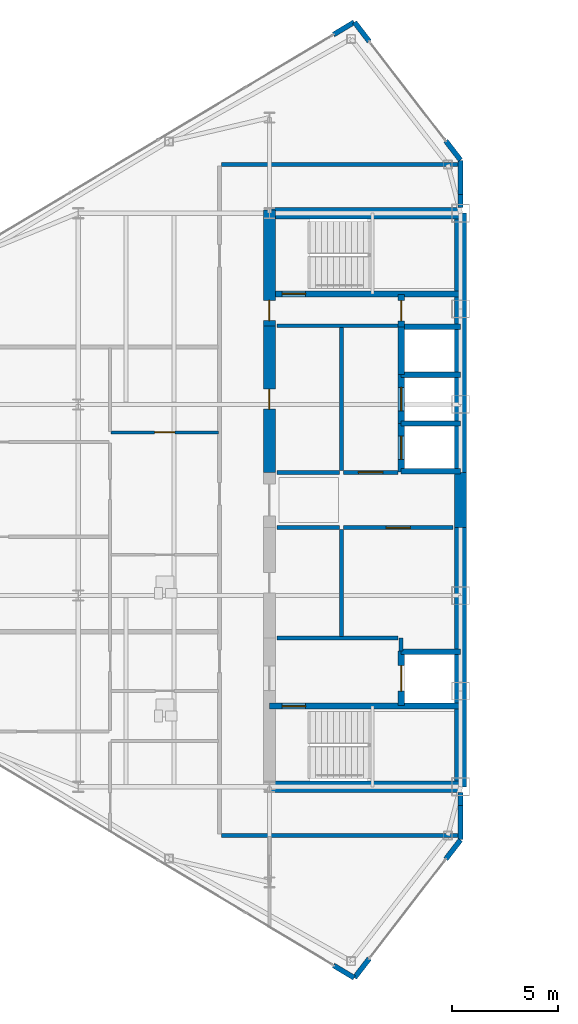
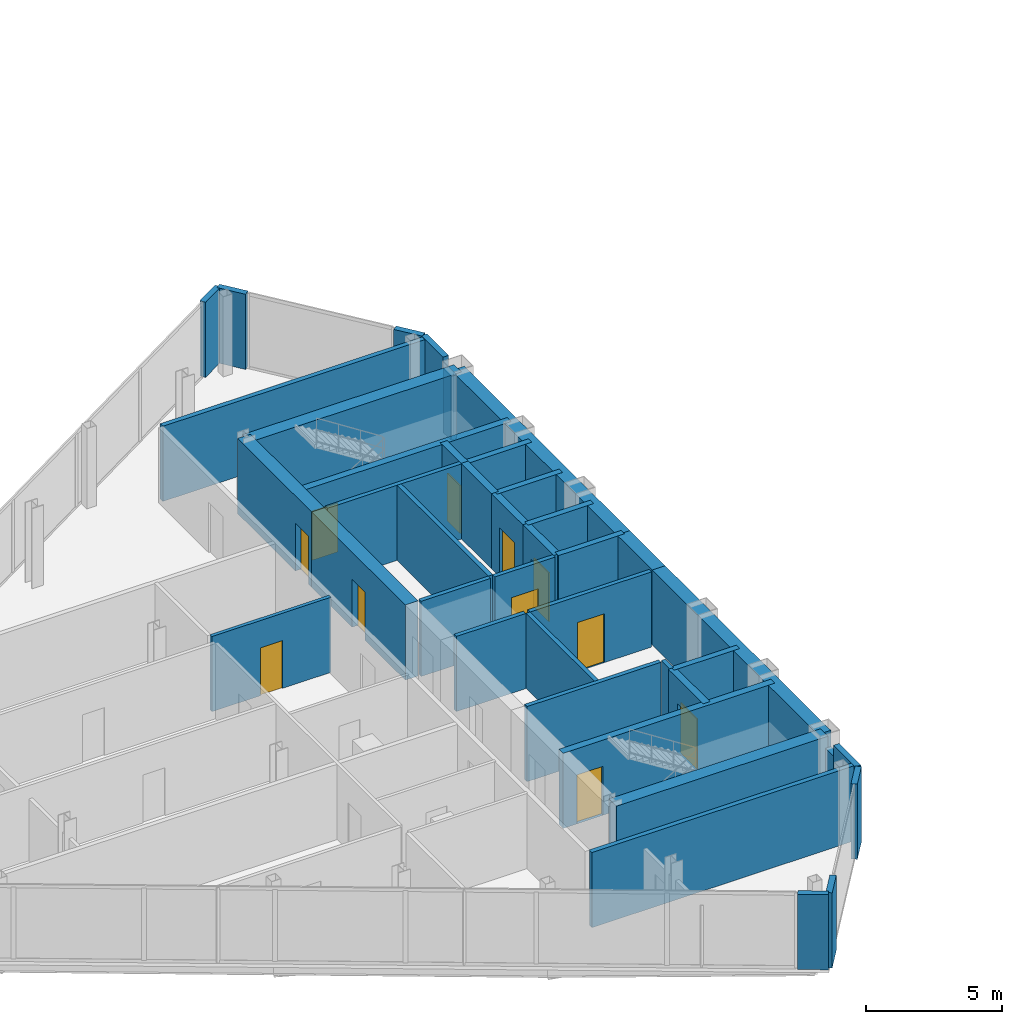
# One storey, part 20 of 26: 41 walls, 11 doors, 11 openings.
"""IFC4 building model written with IfcOpenShell, lengths in metres."""

from ifc_helpers import new_model, si_unit, direction, frame, frame_2d, origin, place, context, subcontext, project, spatial, rectangle, extrude, source, transform, mapped, material, layer, layer_set, type_object, type_shapes, element, fill, save


model = new_model("IFC4")

# Units and contexts
model_context = context("Model", 3, precision=1e-05, world=origin(), true_north=direction((0.0, 1.0)))
body_context = subcontext(model_context, "Body", "Model", "MODEL_VIEW")
ifc_project = project(units=[si_unit("LENGTHUNIT", "METRE"), si_unit("AREAUNIT", "SQUARE_METRE"), si_unit("VOLUMEUNIT", "CUBIC_METRE"), si_unit("PLANEANGLEUNIT", "RADIAN"), si_unit("MASSUNIT", "GRAM", prefix="KILO")], contexts=[model_context])

# Site, building, storey
site_placement = place(None, origin())
site = spatial("IfcSite", under=ifc_project, at=site_placement, CompositionType="ELEMENT")
building_placement = place(site_placement, origin())
building = spatial("IfcBuilding", under=site, at=building_placement, Name="Seokmaru Belvedere", CompositionType="ELEMENT")
storey_placement = place(building_placement, frame((0.0, 0.0, 199.5)))
storey = spatial("IfcBuildingStorey", under=building, at=storey_placement, Name="L53", CompositionType="ELEMENT", Elevation=199.5)

# Wall, opening, door
ifc_material_1 = material(Name="Fire-Rated Gypsum Shaftwall")
ifc_layer_1 = layer(ifc_material_1, 0.14990234375)
ifc_layer_set_1 = layer_set([ifc_layer_1], Name="Fire-Rated Gypsum Shaftwall")
wall_type_1 = type_object("IfcWallType", Name="Apartment Fire-Acoustic Room Partition 150", PredefinedType="PARTITIONING", material=ifc_layer_set_1)
wall_1_placement = place(storey_placement, frame((-43.949951171875, 3.179931640625, 0.0), z_axis=(0.0, 0.0, 1.0), x_axis=(1.0, 0.0, 0.0)))
wall_1 = element("IfcWall", 1, at=wall_1_placement, inside=storey, type_object=wall_type_1, Name="L53 Interior Partition 015", PredefinedType="PARTITIONING", context=body_context, shape_type="SweptSolid", body=[
    extrude(rectangle(XDim=5.050048828125, YDim=0.14990234375, at=frame_2d((2.52490234375, 0.0))), origin(), (0.0, 0.0, 1.0), 3.3798828125),
])
opening_1_placement = place(wall_1_placement, frame((2.050048828125, 0.0, 0.0)))
opening_1 = element("IfcOpeningElement", 2, at=opening_1_placement, cuts=wall_1, Name="Opening D05", PredefinedType="OPENING", context=body_context, shape_type="SweptSolid", body=[
    extrude(rectangle(XDim=0.949951171875, YDim=2.14990234375, at=frame_2d((0.47509765625, 1.074951171875))), frame((0.0, 0.0849609375, 0.0), z_axis=(0.0, -1.0, 0.0), x_axis=(1.0, 0.0, 0.0)), (0.0, 0.0, 1.0), 0.169921875),
])
ifc_material_2 = material(Name="Engineered White Oak Timber", Category="wood")
door_type_1 = type_object("IfcDoorType", Name="Apartment Interior Fire-Rated Oak Door 950x2150", OperationType="NOTDEFINED", PredefinedType="DOOR", material=ifc_material_2)
shared_shape_1 = source(origin(), body_context, "Body", "SweptSolid", [
    extrude(rectangle(XDim=0.949951171875, YDim=2.14990234375, at=frame_2d((0.47509765625, 1.074951171875))), frame((0.0, 0.02490234375, 0.0), z_axis=(0.0, -1.0, 0.0), x_axis=(1.0, 0.0, 0.0)), (0.0, 0.0, 1.0), 0.050048828125),
])
type_shapes(door_type_1, [shared_shape_1])
door_1_placement = place(opening_1_placement, origin())
door_1 = element("IfcDoor", 3, at=door_1_placement, inside=storey, type_object=door_type_1, Name="L53 Interior Door 009", OperationType="SINGLE_SWING_LEFT", OverallHeight=2.14990234375, OverallWidth=0.949951171875, PredefinedType="DOOR", context=body_context, shape_type="MappedRepresentation", body=[
    mapped(shared_shape_1, transform((0.0, 0.0, 0.0), scale=1.0)),
])
fill(opening_1, door_1)

# Walls
ifc_layer_2 = layer(ifc_material_1, 0.179931640625)
ifc_layer_set_2 = layer_set([ifc_layer_2], Name="Fire-Rated Gypsum Shaftwall")
wall_type_2 = type_object("IfcWallType", Name="Core Service Fire Partition 180", PredefinedType="PARTITIONING", material=ifc_layer_set_2)
wall_2_placement = place(storey_placement, frame((-36.14990234375, -6.5, 0.0), z_axis=(0.0, 0.0, 1.0), x_axis=(1.0, 0.0, 0.0)))
element("IfcWall", 4, at=wall_2_placement, inside=storey, type_object=wall_type_2, Name="L53 West Firefighting Lobby Partition", PredefinedType="PARTITIONING", context=body_context, shape_type="SweptSolid", body=[
    extrude(rectangle(XDim=5.699951171875, YDim=0.179931640625, at=frame_2d((2.85009765625, 0.0))), origin(), (0.0, 0.0, 1.0), 3.3798828125),
])
wall_3_placement = place(storey_placement, frame((-30.300048828125, -7.1201171875, 0.0), z_axis=(0.0, 0.0, 1.0), x_axis=(0.0, 1.0, 0.0)))
element("IfcWall", 5, at=wall_3_placement, inside=storey, type_object=wall_type_2, Name="L53 West Firefighting Lobby East Closure Wall", PredefinedType="PARTITIONING", context=body_context, shape_type="SweptSolid", body=[
    extrude(rectangle(XDim=0.6201171875, YDim=0.179931640625, at=frame_2d((0.31005859375, 0.0))), origin(), (0.0, 0.0, 1.0), 3.3798828125),
])
wall_4_placement = place(storey_placement, frame((-36.14990234375, 8.199951171875, 0.0), z_axis=(0.0, 0.0, 1.0), x_axis=(1.0, 0.0, 0.0)))
element("IfcWall", 6, at=wall_4_placement, inside=storey, type_object=wall_type_2, Name="L53 West Smokeproof Vestibule Partition", PredefinedType="PARTITIONING", context=body_context, shape_type="SweptSolid", body=[
    extrude(rectangle(XDim=5.699951171875, YDim=0.179931640625, at=frame_2d((2.85009765625, 0.0))), origin(), (0.0, 0.0, 1.0), 3.3798828125),
])
wall_5_placement = place(storey_placement, frame((-33.10009765625, -6.419921875, 0.0), z_axis=(0.0, 0.0, 1.0), x_axis=(0.0, 1.0, 0.0)))
element("IfcWall", 7, at=wall_5_placement, inside=storey, type_object=wall_type_2, Name="L53 West South Core Service Back Wall", PredefinedType="PARTITIONING", context=body_context, shape_type="SweptSolid", body=[
    extrude(rectangle(XDim=5.0400390625, YDim=0.179931640625, at=frame_2d((2.52001953125, 0.0))), origin(), (0.0, 0.0, 1.0), 3.3798828125),
])
wall_6_placement = place(storey_placement, frame((-33.10009765625, 1.3798828125, 0.0), z_axis=(0.0, 0.0, 1.0), x_axis=(0.0, 1.0, 0.0)))
element("IfcWall", 8, at=wall_6_placement, inside=storey, type_object=wall_type_2, Name="L53 West North Core Service Back Wall", PredefinedType="PARTITIONING", context=body_context, shape_type="SweptSolid", body=[
    extrude(rectangle(XDim=6.740234375, YDim=0.179931640625, at=frame_2d((3.3701171875, 0.0))), origin(), (0.0, 0.0, 1.0), 3.3798828125),
])

# Wall, opening, door
wall_7_placement = place(storey_placement, frame((-33.02001953125, -1.300048828125, 0.0), z_axis=(0.0, 0.0, 1.0), x_axis=(1.0, 0.0, 0.0)))
wall_7 = element("IfcWall", 9, at=wall_7_placement, inside=storey, type_object=wall_type_2, Name="L53 West South Lift Lobby Foyer Wall", PredefinedType="PARTITIONING", context=body_context, shape_type="SweptSolid", body=[
    extrude(rectangle(XDim=5.169921875, YDim=0.179931640625, at=frame_2d((2.5849609375, 0.0))), origin(), (0.0, 0.0, 1.0), 3.3798828125),
])
opening_2_placement = place(wall_7_placement, frame((2.010009765625, 0.0, 0.0)))
opening_2 = element("IfcOpeningElement", 10, at=opening_2_placement, cuts=wall_7, Name="Opening D02", PredefinedType="OPENING", context=body_context, shape_type="SweptSolid", body=[
    extrude(rectangle(XDim=1.14990234375, YDim=2.199951171875, at=frame_2d((0.574951171875, 1.10009765625))), frame((0.0, 0.10009765625, 0.0), z_axis=(0.0, -1.0, 0.0), x_axis=(1.0, 0.0, 0.0)), (0.0, 0.0, 1.0), 0.199951171875),
])
ifc_material_3 = material(Name="Fire-Rated Steel Leaf", Category="steel")
door_type_2 = type_object("IfcDoorType", Name="Lobby and Vestibule Fire Door 1150x2200", OperationType="NOTDEFINED", PredefinedType="DOOR", material=ifc_material_3)
shared_shape_2 = source(origin(), body_context, "Body", "SweptSolid", [
    extrude(rectangle(XDim=1.14990234375, YDim=2.199951171875, at=frame_2d((0.574951171875, 1.10009765625))), frame((0.0, 0.02490234375, 0.0), z_axis=(0.0, -1.0, 0.0), x_axis=(1.0, 0.0, 0.0)), (0.0, 0.0, 1.0), 0.050048828125),
])
type_shapes(door_type_2, [shared_shape_2])
door_2_placement = place(opening_2_placement, origin())
door_2 = element("IfcDoor", 11, at=door_2_placement, inside=storey, type_object=door_type_2, Name="L53 West South Core Foyer Door", OperationType="SINGLE_SWING_LEFT", OverallHeight=2.199951171875, OverallWidth=1.14990234375, PredefinedType="DOOR", context=body_context, shape_type="MappedRepresentation", body=[
    mapped(shared_shape_2, transform((0.0, 0.0, 0.0), scale=1.0)),
])
fill(opening_2, door_2)

wall_8_placement = place(storey_placement, frame((-33.02001953125, 1.300048828125, 0.0), z_axis=(0.0, 0.0, 1.0), x_axis=(1.0, 0.0, 0.0)))
wall_8 = element("IfcWall", 12, at=wall_8_placement, inside=storey, type_object=wall_type_2, Name="L53 West North Lift Lobby Foyer Wall", PredefinedType="PARTITIONING", context=body_context, shape_type="SweptSolid", body=[
    extrude(rectangle(XDim=2.570068359375, YDim=0.179931640625, at=frame_2d((1.28515625, 0.0))), origin(), (0.0, 0.0, 1.0), 3.3798828125),
])
opening_3_placement = place(wall_8_placement, frame((0.7099609375, 0.0, 0.0)))
opening_3 = element("IfcOpeningElement", 13, at=opening_3_placement, cuts=wall_8, Name="Opening D02", PredefinedType="OPENING", context=body_context, shape_type="SweptSolid", body=[
    extrude(rectangle(XDim=1.14990234375, YDim=2.199951171875, at=frame_2d((0.574951171875, 1.10009765625))), frame((0.0, 0.10009765625, 0.0), z_axis=(0.0, -1.0, 0.0), x_axis=(1.0, 0.0, 0.0)), (0.0, 0.0, 1.0), 0.199951171875),
])
door_3_placement = place(opening_3_placement, origin())
door_3 = element("IfcDoor", 14, at=door_3_placement, inside=storey, type_object=door_type_2, Name="L53 West North Lift Lobby Door", OperationType="SINGLE_SWING_RIGHT", OverallHeight=2.199951171875, OverallWidth=1.14990234375, PredefinedType="DOOR", context=body_context, shape_type="MappedRepresentation", body=[
    mapped(shared_shape_2, transform((0.0, 0.0, 0.0), scale=1.0)),
])
fill(opening_3, door_3)

# Walls
for number, where, z_axis, x_axis, name in (
    (15, (-36.14990234375, -1.300048828125, 0.0), (0.0, 0.0, 1.0), (1.0, 0.0, 0.0), "L53 West Foyer Side Wall S"),
    (16, (-36.14990234375, 1.300048828125, 0.0), (0.0, 0.0, 1.0), (1.0, 0.0, 0.0), "L53 West Foyer Side Wall N"),
):
    element("IfcWall", number, at=place(storey_placement, frame(where, z_axis=z_axis, x_axis=x_axis)), inside=storey, type_object=wall_type_2, Name=name, PredefinedType="PARTITIONING", context=body_context, shape_type="SweptSolid", body=[
        extrude(rectangle(XDim=2.949951171875, YDim=0.179931640625, at=frame_2d((1.47509765625, 0.0))), origin(), (0.0, 0.0, 1.0), 3.3798828125),
    ])
ifc_material_4 = material(Name="Concrete C50 (50 MPa)", Category="concrete")
ifc_layer_3 = layer(ifc_material_4, 0.25)
ifc_layer_set_3 = layer_set([ifc_layer_3], Name="Concrete C50 (50 MPa)")
wall_type_3 = type_object("IfcWallType", Name="Hoistway Transverse Concrete Divider Wall 250", PredefinedType="SHEAR", material=ifc_layer_set_3)
for number, where, z_axis, x_axis, name in (
    (17, (-30.300048828125, -7.14990234375, 0.0), (0.0, 0.0, 1.0), (1.0, 0.0, 0.0), "L53 West Hoistway Divider Core Wall 1"),
    (18, (-30.300048828125, 1.35009765625, 0.0), (0.0, 0.0, 1.0), (1.0, 0.0, 0.0), "L53 West Hoistway Divider Core Wall 2"),
    (19, (-30.300048828125, 3.60009765625, 0.0), (0.0, 0.0, 1.0), (1.0, 0.0, 0.0), "L53 West Hoistway Divider Core Wall 3"),
    (20, (-30.300048828125, 5.89990234375, 0.0), (0.0, 0.0, 1.0), (1.0, 0.0, 0.0), "L53 West Hoistway Divider Core Wall 4"),
    (21, (-30.300048828125, 8.14990234375, 0.0), (0.0, 0.0, 1.0), (1.0, 0.0, 0.0), "L53 West Hoistway Divider Core Wall 5"),
):
    element("IfcWall", number, at=place(storey_placement, frame(where, z_axis=z_axis, x_axis=x_axis)), inside=storey, type_object=wall_type_3, Name=name, PredefinedType="SHEAR", context=body_context, shape_type="SweptSolid", body=[
        extrude(rectangle(XDim=2.800048828125, YDim=0.25, at=frame_2d((1.39990234375, 0.0))), origin(), (0.0, 0.0, 1.0), 3.3798828125),
    ])
ifc_layer_4 = layer(ifc_material_1, 0.199951171875)
ifc_layer_set_4 = layer_set([ifc_layer_4], Name="Fire-Rated Gypsum Shaftwall")
wall_type_4 = type_object("IfcWallType", Name="Inter-Tenancy Fire Compartment Partition 200", PredefinedType="PARTITIONING", material=ifc_layer_set_4)
for number, where, z_axis, x_axis, name in (
    (22, (-38.764892578125, -15.800048828125, 0.0), (0.0, 0.0, 1.0), (1.0, 0.0, 0.0), "L53 Interior Partition 001"),
    (23, (-38.764892578125, 15.800048828125, 0.0), (0.0, 0.0, 1.0), (1.0, 0.0, 0.0), "L53 Interior Partition 022"),
):
    element("IfcWall", number, at=place(storey_placement, frame(where, z_axis=z_axis, x_axis=x_axis)), inside=storey, type_object=wall_type_4, Name=name, PredefinedType="PARTITIONING", context=body_context, shape_type="SweptSolid", body=[
        extrude(rectangle(XDim=11.139892578125, YDim=0.199951171875, at=frame_2d((5.56982421875, 0.0))), origin(), (0.0, 0.0, 1.0), 3.3798828125),
    ])

# Wall, opening, door
ifc_layer_5 = layer(ifc_material_4, 0.300048828125)
ifc_layer_set_5 = layer_set([ifc_layer_5], Name="Concrete C50 (50 MPa)")
wall_type_5 = type_object("IfcWallType", Name="Internal Core Stair and Hoistway Wall 300", PredefinedType="SHEAR", material=ifc_layer_set_5)
wall_9_placement = place(storey_placement, frame((-36.5, -9.699951171875, 0.0), z_axis=(0.0, 0.0, 1.0), x_axis=(1.0, 0.0, 0.0)))
wall_9 = element("IfcWall", 24, at=wall_9_placement, inside=storey, type_object=wall_type_5, Name="L53 West Stair ST-1 Enclosure Wall", PredefinedType="SHEAR", context=body_context, shape_type="SweptSolid", body=[
    extrude(rectangle(XDim=9.0, YDim=0.300048828125, at=frame_2d((4.5, 0.0))), origin(), (0.0, 0.0, 1.0), 3.3798828125),
])
opening_4_placement = place(wall_9_placement, frame((0.60009765625, 0.0, 0.0)))
opening_4 = element("IfcOpeningElement", 25, at=opening_4_placement, cuts=wall_9, Name="Opening D01", PredefinedType="OPENING", context=body_context, shape_type="SweptSolid", body=[
    extrude(rectangle(XDim=1.10009765625, YDim=2.199951171875, at=frame_2d((0.550048828125, 1.10009765625))), frame((0.0, 0.16015625, 0.0), z_axis=(0.0, -1.0, 0.0), x_axis=(1.0, 0.0, 0.0)), (0.0, 0.0, 1.0), 0.320068359375),
])
door_type_3 = type_object("IfcDoorType", Name="Special Escape Stair Smokeproof Fire Door 1100x2200", OperationType="NOTDEFINED", PredefinedType="DOOR", material=ifc_material_3)
shared_shape_3 = source(origin(), body_context, "Body", "SweptSolid", [
    extrude(rectangle(XDim=1.10009765625, YDim=2.199951171875, at=frame_2d((0.550048828125, 1.10009765625))), frame((0.0, 0.02490234375, 0.0), z_axis=(0.0, -1.0, 0.0), x_axis=(1.0, 0.0, 0.0)), (0.0, 0.0, 1.0), 0.050048828125),
])
type_shapes(door_type_3, [shared_shape_3])
door_4_placement = place(opening_4_placement, frame((1.10009765625, 0.0, 0.0), z_axis=(0.0, 0.0, 1.0), x_axis=(-1.0, 0.0, 0.0)))
door_4 = element("IfcDoor", 26, at=door_4_placement, inside=storey, type_object=door_type_3, Name="L53 West Special Escape Stair ST-1 Door", OperationType="SINGLE_SWING_LEFT", OverallHeight=2.199951171875, OverallWidth=1.10009765625, PredefinedType="DOOR", context=body_context, shape_type="MappedRepresentation", body=[
    mapped(shared_shape_3, transform((0.0, 0.0, 0.0), scale=1.0)),
])
fill(opening_4, door_4)

wall_10_placement = place(storey_placement, frame((-36.5, 9.699951171875, 0.0), z_axis=(0.0, 0.0, 1.0), x_axis=(1.0, 0.0, 0.0)))
wall_10 = element("IfcWall", 27, at=wall_10_placement, inside=storey, type_object=wall_type_5, Name="L53 West Stair ST-2 Enclosure Wall", PredefinedType="SHEAR", context=body_context, shape_type="SweptSolid", body=[
    extrude(rectangle(XDim=9.0, YDim=0.300048828125, at=frame_2d((4.5, 0.0))), origin(), (0.0, 0.0, 1.0), 3.3798828125),
])
opening_5_placement = place(wall_10_placement, frame((0.60009765625, 0.0, 0.0)))
opening_5 = element("IfcOpeningElement", 28, at=opening_5_placement, cuts=wall_10, Name="Opening D01", PredefinedType="OPENING", context=body_context, shape_type="SweptSolid", body=[
    extrude(rectangle(XDim=1.10009765625, YDim=2.199951171875, at=frame_2d((0.550048828125, 1.10009765625))), frame((0.0, 0.16015625, 0.0), z_axis=(0.0, -1.0, 0.0), x_axis=(1.0, 0.0, 0.0)), (0.0, 0.0, 1.0), 0.320068359375),
])
door_5_placement = place(opening_5_placement, origin())
door_5 = element("IfcDoor", 29, at=door_5_placement, inside=storey, type_object=door_type_3, Name="L53 West Special Escape Stair ST-2 Door", OperationType="SINGLE_SWING_RIGHT", OverallHeight=2.199951171875, OverallWidth=1.10009765625, PredefinedType="DOOR", context=body_context, shape_type="MappedRepresentation", body=[
    mapped(shared_shape_3, transform((0.0, 0.0, 0.0), scale=1.0)),
])
fill(opening_5, door_5)

wall_11_placement = place(storey_placement, frame((-30.300048828125, -9.679931640625, 0.0), z_axis=(0.0, 0.0, 1.0), x_axis=(0.0, 1.0, 0.0)))
wall_11 = element("IfcWall", 30, at=wall_11_placement, inside=storey, type_object=wall_type_5, Name="L53 West Firefighting Lift Shaft Front Wall", PredefinedType="SHEAR", context=body_context, shape_type="SweptSolid", body=[
    extrude(rectangle(XDim=2.559814453125, YDim=0.300048828125, at=frame_2d((1.27978515625, 0.0))), origin(), (0.0, 0.0, 1.0), 3.3798828125),
])
opening_6_placement = place(wall_11_placement, frame((0.679931640625, 0.0, 0.0)))
opening_6 = element("IfcOpeningElement", 31, at=opening_6_placement, cuts=wall_11, Name="Opening LD2", PredefinedType="OPENING", context=body_context, shape_type="SweptSolid", body=[
    extrude(rectangle(XDim=1.199951171875, YDim=2.25, at=frame_2d((0.60009765625, 1.125))), frame((0.0, 0.16015625, 0.0), z_axis=(0.0, -1.0, 0.0), x_axis=(1.0, 0.0, 0.0)), (0.0, 0.0, 1.0), 0.320068359375),
])
ifc_material_5 = material(Name="Stainless Steel 316", Category="steel")
door_type_4 = type_object("IfcDoorType", Name="Firefighting Lift Sliding Landing Door 1200x2250", OperationType="DOUBLE_DOOR_SLIDING", PredefinedType="DOOR", material=ifc_material_5)
shared_shape_4 = source(origin(), body_context, "Body", "SweptSolid", [
    extrude(rectangle(XDim=1.199951171875, YDim=2.25, at=frame_2d((0.60009765625, 1.125))), frame((0.0, 0.02490234375, 0.0), z_axis=(0.0, -1.0, 0.0), x_axis=(1.0, 0.0, 0.0)), (0.0, 0.0, 1.0), 0.050048828125),
])
type_shapes(door_type_4, [shared_shape_4])
door_6_placement = place(opening_6_placement, origin())
door_6 = element("IfcDoor", 32, at=door_6_placement, inside=storey, type_object=door_type_4, Name="L53 West Firefighting Lift Landing Door", OperationType="DOUBLE_DOOR_SLIDING", OverallHeight=2.25, OverallWidth=1.199951171875, PredefinedType="DOOR", context=body_context, shape_type="MappedRepresentation", body=[
    mapped(shared_shape_4, transform((0.0, 0.0, 0.0), scale=1.0)),
])
fill(opening_6, door_6)

wall_12_placement = place(storey_placement, frame((-30.300048828125, 1.320068359375, 0.0), z_axis=(0.0, 0.0, 1.0), x_axis=(0.0, 1.0, 0.0)))
wall_12 = element("IfcWall", 33, at=wall_12_placement, inside=storey, type_object=wall_type_5, Name="L53 West North Hoistway Wall PH1", PredefinedType="SHEAR", context=body_context, shape_type="SweptSolid", body=[
    extrude(rectangle(XDim=2.280029296875, YDim=0.300048828125, at=frame_2d((1.14013671875, 0.0))), origin(), (0.0, 0.0, 1.0), 3.3798828125),
])
opening_7_placement = place(wall_12_placement, frame((0.590087890625, 0.0, 0.0)))
opening_7 = element("IfcOpeningElement", 34, at=opening_7_placement, cuts=wall_12, Name="Opening LD1", PredefinedType="OPENING", context=body_context, shape_type="SweptSolid", body=[
    extrude(rectangle(XDim=1.10009765625, YDim=2.199951171875, at=frame_2d((0.550048828125, 1.10009765625))), frame((0.0, 0.16015625, 0.0), z_axis=(0.0, -1.0, 0.0), x_axis=(1.0, 0.0, 0.0)), (0.0, 0.0, 1.0), 0.320068359375),
])
door_type_5 = type_object("IfcDoorType", Name="Passenger Lift Sliding Landing Door 1100x2200", OperationType="DOUBLE_DOOR_SLIDING", PredefinedType="DOOR", material=ifc_material_5)
shared_shape_5 = source(origin(), body_context, "Body", "SweptSolid", [
    extrude(rectangle(XDim=1.10009765625, YDim=2.199951171875, at=frame_2d((0.550048828125, 1.10009765625))), frame((0.0, 0.02490234375, 0.0), z_axis=(0.0, -1.0, 0.0), x_axis=(1.0, 0.0, 0.0)), (0.0, 0.0, 1.0), 0.050048828125),
])
type_shapes(door_type_5, [shared_shape_5])
door_7_placement = place(opening_7_placement, origin())
door_7 = element("IfcDoor", 35, at=door_7_placement, inside=storey, type_object=door_type_5, Name="L53 West High-Rise Lift PH-1 Landing Door", OperationType="DOUBLE_DOOR_SLIDING", OverallHeight=2.199951171875, OverallWidth=1.10009765625, PredefinedType="DOOR", context=body_context, shape_type="MappedRepresentation", body=[
    mapped(shared_shape_5, transform((0.0, 0.0, 0.0), scale=1.0)),
])
fill(opening_7, door_7)

wall_13_placement = place(storey_placement, frame((-30.300048828125, 3.60009765625, 0.0), z_axis=(0.0, 0.0, 1.0), x_axis=(0.0, 1.0, 0.0)))
wall_13 = element("IfcWall", 36, at=wall_13_placement, inside=storey, type_object=wall_type_5, Name="L53 West North Hoistway Wall PH2", PredefinedType="SHEAR", context=body_context, shape_type="SweptSolid", body=[
    extrude(rectangle(XDim=2.2998046875, YDim=0.300048828125, at=frame_2d((1.14990234375, 0.0))), origin(), (0.0, 0.0, 1.0), 3.3798828125),
])
opening_8_placement = place(wall_13_placement, frame((0.60009765625, 0.0, 0.0)))
opening_8 = element("IfcOpeningElement", 37, at=opening_8_placement, cuts=wall_13, Name="Opening LD1", PredefinedType="OPENING", context=body_context, shape_type="SweptSolid", body=[
    extrude(rectangle(XDim=1.10009765625, YDim=2.199951171875, at=frame_2d((0.550048828125, 1.10009765625))), frame((0.0, 0.16015625, 0.0), z_axis=(0.0, -1.0, 0.0), x_axis=(1.0, 0.0, 0.0)), (0.0, 0.0, 1.0), 0.320068359375),
])
door_8_placement = place(opening_8_placement, origin())
door_8 = element("IfcDoor", 38, at=door_8_placement, inside=storey, type_object=door_type_5, Name="L53 West High-Rise Lift PH-2 Landing Door", OperationType="DOUBLE_DOOR_SLIDING", OverallHeight=2.199951171875, OverallWidth=1.10009765625, PredefinedType="DOOR", context=body_context, shape_type="MappedRepresentation", body=[
    mapped(shared_shape_5, transform((0.0, 0.0, 0.0), scale=1.0)),
])
fill(opening_8, door_8)

# Wall
wall_14_placement = place(storey_placement, frame((-30.300048828125, 5.89990234375, 0.0), z_axis=(0.0, 0.0, 1.0), x_axis=(0.0, 1.0, 0.0)))
element("IfcWall", 39, at=wall_14_placement, inside=storey, type_object=wall_type_5, Name="L53 West North Hoistway Wall OBS", PredefinedType="SHEAR", context=body_context, shape_type="SweptSolid", body=[
    extrude(rectangle(XDim=2.25, YDim=0.300048828125, at=frame_2d((1.125, 0.0))), origin(), (0.0, 0.0, 1.0), 3.3798828125),
])

# Wall, opening, door
wall_15_placement = place(storey_placement, frame((-30.300048828125, 8.14990234375, 0.0), z_axis=(0.0, 0.0, 1.0), x_axis=(0.0, 1.0, 0.0)))
wall_15 = element("IfcWall", 40, at=wall_15_placement, inside=storey, type_object=wall_type_5, Name="L53 West Electrical Riser Front Wall", PredefinedType="SHEAR", context=body_context, shape_type="SweptSolid", body=[
    extrude(rectangle(XDim=1.530029296875, YDim=0.300048828125, at=frame_2d((0.76513671875, 0.0))), origin(), (0.0, 0.0, 1.0), 3.3798828125),
])
opening_9_placement = place(wall_15_placement, frame((0.284912109375, 0.0, 0.0)))
opening_9 = element("IfcOpeningElement", 41, at=opening_9_placement, cuts=wall_15, Name="Opening D04", PredefinedType="OPENING", context=body_context, shape_type="SweptSolid", body=[
    extrude(rectangle(XDim=0.949951171875, YDim=2.14990234375, at=frame_2d((0.47509765625, 1.074951171875))), frame((0.0, 0.16015625, 0.0), z_axis=(0.0, -1.0, 0.0), x_axis=(1.0, 0.0, 0.0)), (0.0, 0.0, 1.0), 0.320068359375),
])
door_type_6 = type_object("IfcDoorType", Name="Core Service Room Fire Door 950x2150", OperationType="NOTDEFINED", PredefinedType="DOOR", material=ifc_material_3)
shared_shape_6 = source(origin(), body_context, "Body", "SweptSolid", [
    extrude(rectangle(XDim=0.949951171875, YDim=2.14990234375, at=frame_2d((0.47509765625, 1.074951171875))), frame((0.0, 0.02490234375, 0.0), z_axis=(0.0, -1.0, 0.0), x_axis=(1.0, 0.0, 0.0)), (0.0, 0.0, 1.0), 0.050048828125),
])
type_shapes(door_type_6, [shared_shape_6])
door_9_placement = place(opening_9_placement, origin())
door_9 = element("IfcDoor", 42, at=door_9_placement, inside=storey, type_object=door_type_6, Name="L53 West Electrical Riser Access Door", OperationType="SINGLE_SWING_LEFT", OverallHeight=2.14990234375, OverallWidth=0.949951171875, PredefinedType="DOOR", context=body_context, shape_type="MappedRepresentation", body=[
    mapped(shared_shape_6, transform((0.0, 0.0, 0.0), scale=1.0)),
])
fill(opening_9, door_9)

# Walls
ifc_layer_6 = layer(ifc_material_4, 0.550048828125)
ifc_layer_set_6 = layer_set([ifc_layer_6], Name="Concrete C50 (50 MPa)")
wall_type_6 = type_object("IfcWallType", Name="Mid-High Reinforced Concrete Core Wall 550", PredefinedType="SHEAR", material=ifc_layer_set_6)
for number, where, z_axis, x_axis, name in (
    (43, (-27.5, -13.5, 0.0), (0.0, 0.0, 1.0), (0.0, 1.0, 0.0), "L53 West Portal Spine Core Wall South"),
    (44, (-27.5, 1.300048828125, 0.0), (0.0, 0.0, 1.0), (0.0, 1.0, 0.0), "L53 West Portal Spine Core Wall North"),
):
    element("IfcWall", number, at=place(storey_placement, frame(where, z_axis=z_axis, x_axis=x_axis)), inside=storey, type_object=wall_type_6, Name=name, PredefinedType="SHEAR", context=body_context, shape_type="SweptSolid", body=[
        extrude(rectangle(XDim=12.199951171875, YDim=0.550048828125, at=frame_2d((6.10009765625, 0.0))), origin(), (0.0, 0.0, 1.0), 3.3798828125),
    ])
wall_16_placement = place(storey_placement, frame((-27.5, -1.300048828125, 0.0), z_axis=(0.0, 0.0, 1.0), x_axis=(0.0, 1.0, 0.0)))
element("IfcWall", 45, at=wall_16_placement, inside=storey, type_object=wall_type_6, Name="L53 West Portal Spine Core Wall Center", PredefinedType="SHEAR", context=body_context, shape_type="SweptSolid", body=[
    extrude(rectangle(XDim=2.60009765625, YDim=0.550048828125, at=frame_2d((1.300048828125, 0.0))), origin(), (0.0, 0.0, 1.0), 3.3798828125),
])
for number, where, z_axis, x_axis, name in (
    (46, (-36.5, -13.5, 0.0), (0.0, 0.0, 1.0), (1.0, 0.0, 0.0), "L53 West South Core Wall"),
    (47, (-36.5, 13.5, 0.0), (0.0, 0.0, 1.0), (1.0, 0.0, 0.0), "L53 West North Core Wall"),
):
    element("IfcWall", number, at=place(storey_placement, frame(where, z_axis=z_axis, x_axis=x_axis)), inside=storey, type_object=wall_type_6, Name=name, PredefinedType="SHEAR", context=body_context, shape_type="SweptSolid", body=[
        extrude(rectangle(XDim=9.0, YDim=0.550048828125, at=frame_2d((4.5, 0.0))), origin(), (0.0, 0.0, 1.0), 3.3798828125),
    ])

# Wall, opening, door
wall_17_placement = place(storey_placement, frame((-36.5, 8.199951171875, 0.0), z_axis=(0.0, 0.0, 1.0), x_axis=(0.0, 1.0, 0.0)))
wall_17 = element("IfcWall", 48, at=wall_17_placement, inside=storey, type_object=wall_type_6, Name="L53 West West Core Wall VST", PredefinedType="SHEAR", context=body_context, shape_type="SweptSolid", body=[
    extrude(rectangle(XDim=5.449951171875, YDim=0.550048828125, at=frame_2d((2.72509765625, 0.0))), origin(), (0.0, 0.0, 1.0), 3.3798828125),
])
opening_10_placement = place(wall_17_placement, frame((0.2451171875, 0.0, 0.0)))
opening_10 = element("IfcOpeningElement", 49, at=opening_10_placement, cuts=wall_17, Name="Opening D04", PredefinedType="OPENING", context=body_context, shape_type="SweptSolid", body=[
    extrude(rectangle(XDim=0.949951171875, YDim=2.14990234375, at=frame_2d((0.47509765625, 1.074951171875))), frame((0.0, 0.28515625, 0.0), z_axis=(0.0, -1.0, 0.0), x_axis=(1.0, 0.0, 0.0)), (0.0, 0.0, 1.0), 0.570068359375),
])
door_10_placement = place(opening_10_placement, frame((0.949951171875, 0.0, 0.0), z_axis=(0.0, 0.0, 1.0), x_axis=(-1.0, 0.0, 0.0)))
door_10 = element("IfcDoor", 50, at=door_10_placement, inside=storey, type_object=door_type_6, Name="L53 West Smokeproof Vestibule Door", OperationType="SINGLE_SWING_RIGHT", OverallHeight=2.14990234375, OverallWidth=0.949951171875, PredefinedType="DOOR", context=body_context, shape_type="MappedRepresentation", body=[
    mapped(shared_shape_6, transform((0.0, 0.0, 0.0), scale=1.0)),
])
fill(opening_10, door_10)

wall_18_placement = place(storey_placement, frame((-36.5, 1.300048828125, 0.0), z_axis=(0.0, 0.0, 1.0), x_axis=(0.0, 1.0, 0.0)))
wall_18 = element("IfcWall", 51, at=wall_18_placement, inside=storey, type_object=wall_type_6, Name="L53 West West Core Wall CS2", PredefinedType="SHEAR", context=body_context, shape_type="SweptSolid", body=[
    extrude(rectangle(XDim=6.89990234375, YDim=0.550048828125, at=frame_2d((3.449951171875, 0.0))), origin(), (0.0, 0.0, 1.0), 3.3798828125),
])
opening_11_placement = place(wall_18_placement, frame((2.97509765625, 0.0, 0.0)))
opening_11 = element("IfcOpeningElement", 52, at=opening_11_placement, cuts=wall_18, Name="Opening D04", PredefinedType="OPENING", context=body_context, shape_type="SweptSolid", body=[
    extrude(rectangle(XDim=0.949951171875, YDim=2.14990234375, at=frame_2d((0.47509765625, 1.074951171875))), frame((0.0, 0.28515625, 0.0), z_axis=(0.0, -1.0, 0.0), x_axis=(1.0, 0.0, 0.0)), (0.0, 0.0, 1.0), 0.570068359375),
])
door_11_placement = place(opening_11_placement, origin())
door_11 = element("IfcDoor", 53, at=door_11_placement, inside=storey, type_object=door_type_6, Name="L53 West Core Service Room Door 2", OperationType="SINGLE_SWING_RIGHT", OverallHeight=2.14990234375, OverallWidth=0.949951171875, PredefinedType="DOOR", context=body_context, shape_type="MappedRepresentation", body=[
    mapped(shared_shape_6, transform((0.0, 0.0, 0.0), scale=1.0)),
])
fill(opening_11, door_11)

# Walls
ifc_material_6 = material(Name="Anodised Bronze Aluminium", Category="aluminium")
ifc_layer_7 = layer(ifc_material_6, 0.239990234375)
ifc_layer_set_7 = layer_set([ifc_layer_7], Name="Anodised Bronze Aluminium")
wall_type_7 = type_object("IfcWallType", Name="Tower Corner Spandrel Closure Wall 240", PredefinedType="SOLIDWALL", material=ifc_layer_set_7)
wall_19_placement = place(storey_placement, frame((-27.5, -15.97998046875, 0.0), z_axis=(0.0, 0.0, 1.0), x_axis=(0.0, 1.0, 0.0)))
element("IfcWall", 54, at=wall_19_placement, inside=storey, type_object=wall_type_7, Name="L53 W Shoulder Closure Wall 1", PredefinedType="SOLIDWALL", context=body_context, shape_type="SweptSolid", body=[
    extrude(rectangle(XDim=1.60009765625, YDim=0.239990234375, at=frame_2d((0.800048828125, 0.0))), origin(), (0.0, 0.0, 1.0), 3.3798828125),
])
for number, where, z_axis, x_axis, name in (
    (55, (-27.5, -14.3798828125, 0.0), (0.0, 0.0, 1.0), (0.0, 1.0, 0.0), "L53 W Shoulder Closure Wall 1 Part 2"),
    (56, (-27.5, 13.780029296875, 0.0), (0.0, 0.0, 1.0), (0.0, 1.0, 0.0), "L53 W Shoulder Closure Wall 2"),
):
    element("IfcWall", number, at=place(storey_placement, frame(where, z_axis=z_axis, x_axis=x_axis)), inside=storey, type_object=wall_type_7, Name=name, PredefinedType="SOLIDWALL", context=body_context, shape_type="SweptSolid", body=[
        extrude(rectangle(XDim=0.599853515625, YDim=0.239990234375, at=frame_2d((0.2998046875, 0.0))), origin(), (0.0, 0.0, 1.0), 2.8798828125),
    ])
wall_20_placement = place(storey_placement, frame((-27.5, 14.3798828125, 0.0), z_axis=(0.0, 0.0, 1.0), x_axis=(0.0, 1.0, 0.0)))
element("IfcWall", 57, at=wall_20_placement, inside=storey, type_object=wall_type_7, Name="L53 W Shoulder Closure Wall 2 Part 2", PredefinedType="SOLIDWALL", context=body_context, shape_type="SweptSolid", body=[
    extrude(rectangle(XDim=1.60009765625, YDim=0.239990234375, at=frame_2d((0.800048828125, 0.0))), origin(), (0.0, 0.0, 1.0), 3.3798828125),
])
for number, where, z_axis, x_axis, name in (
    (58, (-27.506103515625, 16.0078125, 0.0), (0.0, 0.0, 1.0), (-0.609617623633, 0.792695624408, 0.0), "L53 W Corner Closure Pier 2A"),
    (59, (-31.798828125, 21.58837890625, 0.0), (0.0, 0.0, 1.0), (-0.609617623633, 0.792695624408, 0.0), "L53 W Corner Closure Pier 2B"),
    (60, (-32.508544921875, 22.494873046875, 0.0), (0.0, 0.0, 1.0), (-0.85743623509, -0.514590228002, 0.0), "L53 W Corner Closure Pier 3A"),
    (61, (-33.486083984375, -21.908203125, 0.0), (0.0, 0.0, 1.0), (0.85743623509, -0.514590228002, 0.0), "L53 W Corner Closure Pier 5B"),
    (62, (-32.493896484375, -22.4921875, 0.0), (0.0, 0.0, 1.0), (0.609617623633, 0.792695624408, 0.0), "L53 W Corner Closure Pier 6A"),
    (63, (-28.201171875, -16.91162109375, 0.0), (0.0, 0.0, 1.0), (0.609617623633, 0.792695624408, 0.0), "L53 W Corner Closure Pier 6B"),
):
    element("IfcWall", number, at=place(storey_placement, frame(where, z_axis=z_axis, x_axis=x_axis)), inside=storey, type_object=wall_type_7, Name=name, PredefinedType="SOLIDWALL", context=body_context, shape_type="SweptSolid", body=[
        extrude(rectangle(XDim=1.14013671875, YDim=0.239990234375, at=frame_2d((0.570068359375, 0.0))), origin(), (0.0, 0.0, 1.0), 3.3798828125),
    ])

save(model, "model.ifc")
